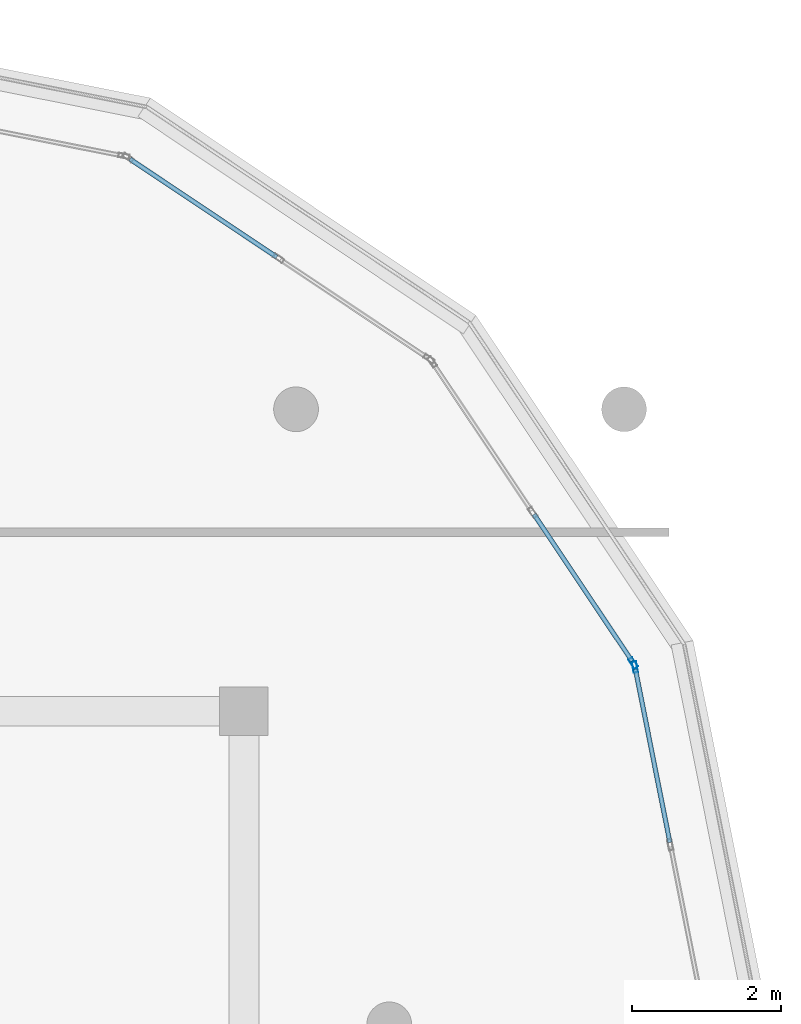
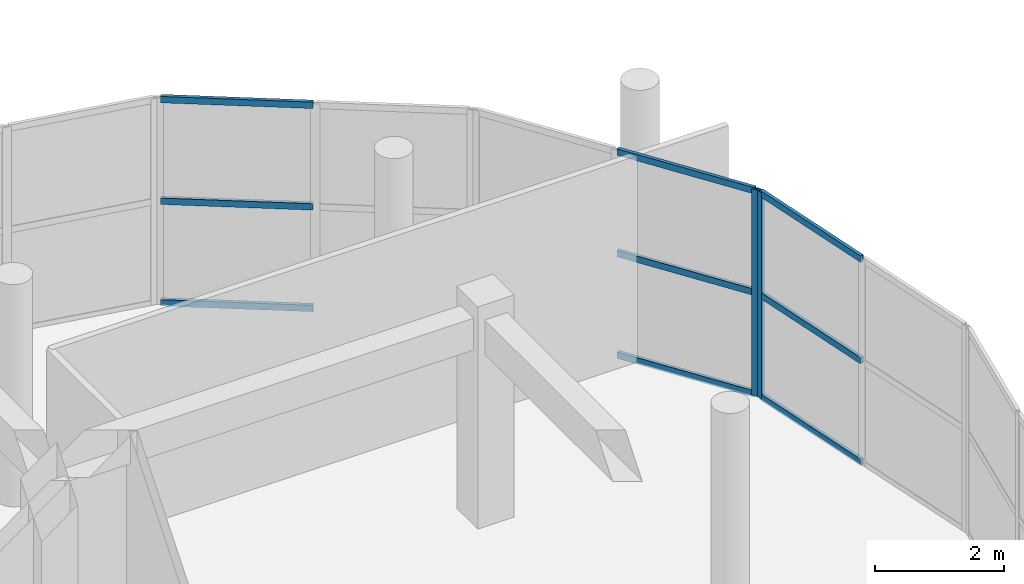
# One storey, part 36 of 57: 11 members, 3 elements without a shape of their own.
"""IFC4 building model written with IfcOpenShell, lengths in metres."""

from ifc_helpers import new_model, si_unit, direction, frame, origin, origin_2d, place, context, subcontext, project, spatial, hollow_rectangle, extrude, material, layer, layer_set, material_profile, profile_set, type_object, element, aggregate, save


model = new_model("IFC4")

# Units and contexts
model_context = context("Model", 3, precision=1e-05, world=origin(), true_north=direction((0.0, 1.0)))
body_context = subcontext(model_context, "Body", "Model", "MODEL_VIEW")
ifc_project = project(units=[si_unit("LENGTHUNIT", "METRE"), si_unit("AREAUNIT", "SQUARE_METRE"), si_unit("VOLUMEUNIT", "CUBIC_METRE"), si_unit("PLANEANGLEUNIT", "RADIAN"), si_unit("MASSUNIT", "GRAM", prefix="KILO")], contexts=[model_context])

# Site, building, storey
site_placement = place(None, origin())
site = spatial("IfcSite", under=ifc_project, at=site_placement, CompositionType="ELEMENT")
building_placement = place(site_placement, origin())
building = spatial("IfcBuilding", under=site, at=building_placement, Name="Zizhar Promenade General Hospital", CompositionType="ELEMENT")
storey_placement = place(building_placement, frame((0.0, 0.0, 22.199951171875)))
storey = spatial("IfcBuildingStorey", under=building, at=storey_placement, Name="L05", CompositionType="ELEMENT", Elevation=22.199951171875)

# Curtain wall, member
ifc_material_1 = material(Name="Anodised aluminium 6063-T6 and low-E glass", Category="aluminium")
ifc_layer = layer(ifc_material_1, 0.159912109375)
ifc_layer_set = layer_set([ifc_layer], Name="Anodised aluminium 6063-T6 and low-E glass")
curtain_wall_type = type_object("IfcCurtainWallType", Name="CW-WARD-ARC", PredefinedType="NOTDEFINED", material=ifc_layer_set)
curtain_wall_1_placement = place(storey_placement, origin())
curtain_wall_1 = element("IfcCurtainWall", 1, at=curtain_wall_1_placement, inside=storey, type_object=curtain_wall_type, Name="Ward Semicircular End Glazing L05-05", PredefinedType="NOTDEFINED")
ifc_material_2 = material(Name="Anodised aluminium 6063-T6", Category="aluminium")
ifc_material_profile_1 = material_profile(ifc_material_2, hollow_rectangle(XDim=0.06005859375, YDim=0.14990234375, WallThickness=0.00390625, at=origin_2d()))
ifc_profile_set_1 = profile_set([ifc_material_profile_1], Name="Anodised aluminium 6063-T6")
member_type_1 = type_object("IfcMemberType", Name="CWM-ALU-150x60", PredefinedType="MULLION", material=ifc_profile_set_1)
member_1_placement = place(storey_placement, frame((130.046630859375, 17.392333984375, 0.0), z_axis=(0.0, 0.0, 1.0), x_axis=(0.980785889615, 0.195087259275, 0.0)))
member_1 = element("IfcMember", 2, at=member_1_placement, type_object=member_type_1, Name="CW-12 mullion 1", PredefinedType="MULLION", context=body_context, shape_type="SweptSolid", body=[
    extrude(hollow_rectangle(XDim=0.06005859375, YDim=0.14990234375, WallThickness=0.00390625, at=origin_2d()), origin(), (0.0, 0.0, 1.0), 3.900146484375),
])

curtain_wall_2_placement = place(storey_placement, origin())
curtain_wall_2 = element("IfcCurtainWall", 3, at=curtain_wall_2_placement, inside=storey, type_object=curtain_wall_type, Name="Ward Semicircular End Glazing L05-06", PredefinedType="NOTDEFINED")
member_2_placement = place(storey_placement, frame((130.024169921875, 17.44677734375, 0.0), z_axis=(0.0, 0.0, 1.0), x_axis=(0.831461514468, 0.555582352095, 0.0)))
member_2 = element("IfcMember", 4, at=member_2_placement, type_object=member_type_1, Name="CW-12 mullion 3", PredefinedType="MULLION", context=body_context, shape_type="SweptSolid", body=[
    extrude(hollow_rectangle(XDim=0.06005859375, YDim=0.14990234375, WallThickness=0.00390625, at=origin_2d()), origin(), (0.0, 0.0, 1.0), 3.900146484375),
])

# Member
ifc_material_3 = material(Name="Anodised aluminium 6063-T6", Category="aluminium")
ifc_material_profile_2 = material_profile(ifc_material_3, hollow_rectangle(XDim=0.06005859375, YDim=0.1201171875, WallThickness=0.00390625, at=origin_2d()))
ifc_profile_set_2 = profile_set([ifc_material_profile_2], Name="Anodised aluminium 6063-T6")
member_type_2 = type_object("IfcMemberType", Name="CWT-ALU-120x60", PredefinedType="USERDEFINED", material=ifc_profile_set_2)
member_3_placement = place(storey_placement, frame((130.052490234375, 17.363037109375, 0.030029296875), z_axis=(0.195144637465, -0.980774474825, 0.0), x_axis=(0.980774474825, 0.195144637465, 0.0)))
member_3 = element("IfcMember", 5, at=member_3_placement, type_object=member_type_2, Name="CW-12 transom 1.1", ObjectType="TRANSOM", PredefinedType="USERDEFINED", context=body_context, shape_type="SweptSolid", body=[
    extrude(hollow_rectangle(XDim=0.06005859375, YDim=0.1201171875, WallThickness=0.00390625, at=origin_2d()), origin(), (0.0, 0.0, 1.0), 2.3681640625),
])

member_4_placement = place(storey_placement, frame((130.052490234375, 17.363037109375, 1.949951171875), z_axis=(0.195144637465, -0.980774474825, 0.0), x_axis=(0.980774474825, 0.195144637465, 0.0)))
member_4 = element("IfcMember", 6, at=member_4_placement, type_object=member_type_2, Name="CW-12 transom 1.2", ObjectType="TRANSOM", PredefinedType="USERDEFINED", context=body_context, shape_type="SweptSolid", body=[
    extrude(hollow_rectangle(XDim=0.06005859375, YDim=0.1201171875, WallThickness=0.00390625, at=origin_2d()), origin(), (0.0, 0.0, 1.0), 2.3681640625),
])

member_5_placement = place(storey_placement, frame((130.052490234375, 17.363037109375, 3.8701171875), z_axis=(0.195144637465, -0.980774474825, 0.0), x_axis=(0.980774474825, 0.195144637465, 0.0)))
member_5 = element("IfcMember", 7, at=member_5_placement, type_object=member_type_2, Name="CW-12 transom 1.3", ObjectType="TRANSOM", PredefinedType="USERDEFINED", context=body_context, shape_type="SweptSolid", body=[
    extrude(hollow_rectangle(XDim=0.06005859375, YDim=0.1201171875, WallThickness=0.00390625, at=origin_2d()), origin(), (0.0, 0.0, 1.0), 2.3681640625),
])

aggregate(curtain_wall_1, [member_1, member_3, member_4, member_5])

member_6_placement = place(storey_placement, frame((128.69189453125, 19.440673828125, 0.030029296875), z_axis=(0.555580160396, -0.831462978956, 0.0), x_axis=(0.831462978956, 0.555580160396, 0.0)))
member_6 = element("IfcMember", 8, at=member_6_placement, type_object=member_type_2, Name="CW-12 transom 2.1", ObjectType="TRANSOM", PredefinedType="USERDEFINED", context=body_context, shape_type="SweptSolid", body=[
    extrude(hollow_rectangle(XDim=0.06005859375, YDim=0.1201171875, WallThickness=0.00390625, at=origin_2d()), origin(), (0.0, 0.0, 1.0), 2.3681640625),
])

member_7_placement = place(storey_placement, frame((128.69189453125, 19.440673828125, 1.949951171875), z_axis=(0.555580160396, -0.831462978956, 0.0), x_axis=(0.831462978956, 0.555580160396, 0.0)))
member_7 = element("IfcMember", 9, at=member_7_placement, type_object=member_type_2, Name="CW-12 transom 2.2", ObjectType="TRANSOM", PredefinedType="USERDEFINED", context=body_context, shape_type="SweptSolid", body=[
    extrude(hollow_rectangle(XDim=0.06005859375, YDim=0.1201171875, WallThickness=0.00390625, at=origin_2d()), origin(), (0.0, 0.0, 1.0), 2.3681640625),
])

member_8_placement = place(storey_placement, frame((128.69189453125, 19.440673828125, 3.8701171875), z_axis=(0.555580160396, -0.831462978956, 0.0), x_axis=(0.831462978956, 0.555580160396, 0.0)))
member_8 = element("IfcMember", 10, at=member_8_placement, type_object=member_type_2, Name="CW-12 transom 2.3", ObjectType="TRANSOM", PredefinedType="USERDEFINED", context=body_context, shape_type="SweptSolid", body=[
    extrude(hollow_rectangle(XDim=0.06005859375, YDim=0.1201171875, WallThickness=0.00390625, at=origin_2d()), origin(), (0.0, 0.0, 1.0), 2.3681640625),
])

aggregate(curtain_wall_2, [member_2, member_6, member_7, member_8])

# Curtain wall, members
curtain_wall_3_placement = place(storey_placement, origin())
curtain_wall_3 = element("IfcCurtainWall", 11, at=curtain_wall_3_placement, inside=storey, type_object=curtain_wall_type, Name="Ward Semicircular End Glazing L05-07", PredefinedType="NOTDEFINED")
member_9_placement = place(storey_placement, frame((123.271728515625, 24.20751953125, 0.030029296875), z_axis=(0.831462978956, -0.555580160396, 0.0), x_axis=(0.555580160396, 0.831462978956, 0.0)))
member_9 = element("IfcMember", 12, at=member_9_placement, type_object=member_type_2, Name="CW-12 transom 1.1", ObjectType="TRANSOM", PredefinedType="USERDEFINED", context=body_context, shape_type="SweptSolid", body=[
    extrude(hollow_rectangle(XDim=0.06005859375, YDim=0.1201171875, WallThickness=0.00390625, at=origin_2d()), origin(), (0.0, 0.0, 1.0), 2.3681640625),
])
member_10_placement = place(storey_placement, frame((123.271728515625, 24.20751953125, 1.949951171875), z_axis=(0.831462978956, -0.555580160396, 0.0), x_axis=(0.555580160396, 0.831462978956, 0.0)))
member_10 = element("IfcMember", 13, at=member_10_placement, type_object=member_type_2, Name="CW-12 transom 1.2", ObjectType="TRANSOM", PredefinedType="USERDEFINED", context=body_context, shape_type="SweptSolid", body=[
    extrude(hollow_rectangle(XDim=0.06005859375, YDim=0.1201171875, WallThickness=0.00390625, at=origin_2d()), origin(), (0.0, 0.0, 1.0), 2.3681640625),
])
member_11_placement = place(storey_placement, frame((123.271728515625, 24.20751953125, 3.8701171875), z_axis=(0.831462978956, -0.555580160396, 0.0), x_axis=(0.555580160396, 0.831462978956, 0.0)))
member_11 = element("IfcMember", 14, at=member_11_placement, type_object=member_type_2, Name="CW-12 transom 1.3", ObjectType="TRANSOM", PredefinedType="USERDEFINED", context=body_context, shape_type="SweptSolid", body=[
    extrude(hollow_rectangle(XDim=0.06005859375, YDim=0.1201171875, WallThickness=0.00390625, at=origin_2d()), origin(), (0.0, 0.0, 1.0), 2.3681640625),
])
aggregate(curtain_wall_3, [member_9, member_10, member_11])

save(model, "model.ifc")
